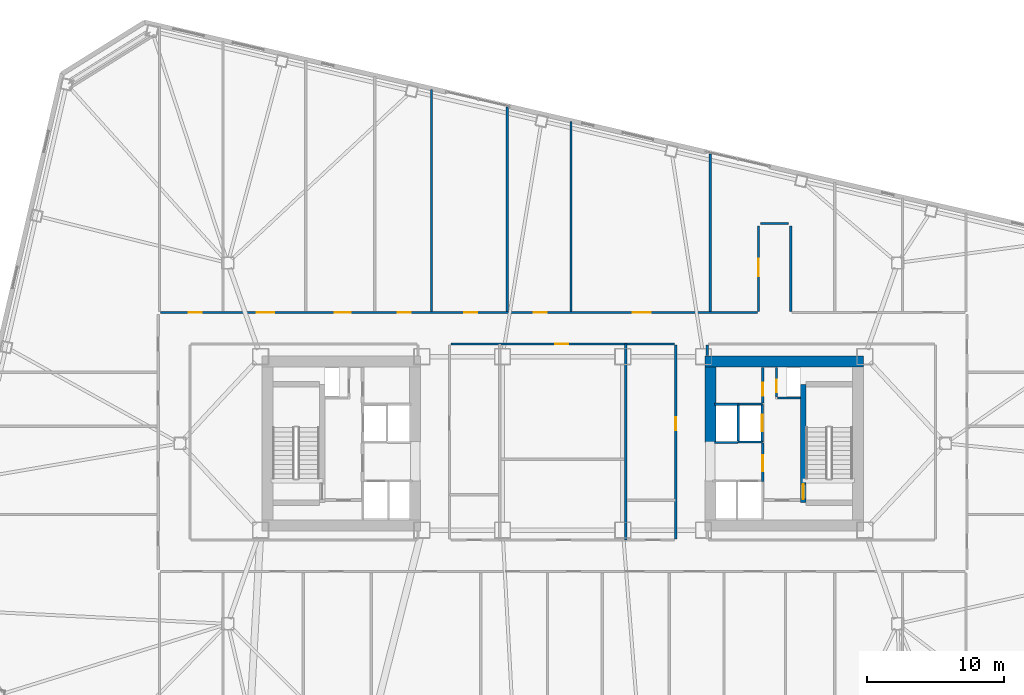
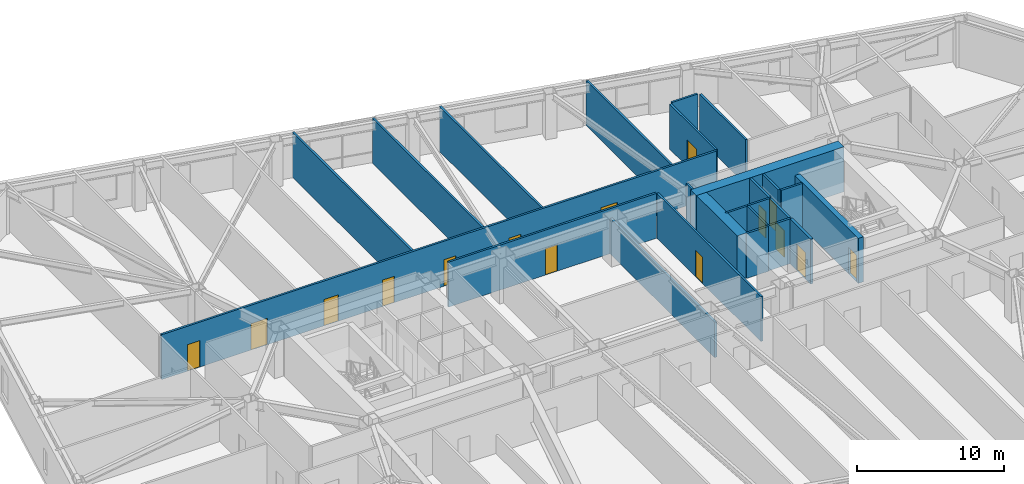
# One storey, part 14 of 21: 25 walls, 15 doors, 15 openings.
"""IFC4 building model written with IfcOpenShell, lengths in metres."""

from ifc_helpers import new_model, si_unit, direction, frame, frame_2d, origin, place, context, subcontext, project, spatial, rectangle, extrude, material, layer, layer_set, type_object, element, fill, save


model = new_model("IFC4")

# Units and contexts
model_context = context("Model", 3, precision=1e-05, world=origin(), true_north=direction((0.0, 1.0)))
body_context = subcontext(model_context, "Body", "Model", "MODEL_VIEW")
ifc_project = project(units=[si_unit("LENGTHUNIT", "METRE"), si_unit("AREAUNIT", "SQUARE_METRE"), si_unit("VOLUMEUNIT", "CUBIC_METRE"), si_unit("PLANEANGLEUNIT", "RADIAN"), si_unit("MASSUNIT", "GRAM", prefix="KILO")], contexts=[model_context])

# Site, building, storey
site_placement = place(None, origin())
site = spatial("IfcSite", under=ifc_project, at=site_placement, CompositionType="ELEMENT")
building_placement = place(site_placement, origin())
building = spatial("IfcBuilding", under=site, at=building_placement, Name="Tavrogorsk Clinical Tower", CompositionType="ELEMENT")
storey_placement = place(building_placement, frame((0.0, 0.0, 43.39990234375)))
storey = spatial("IfcBuildingStorey", under=building, at=storey_placement, Name="L08", CompositionType="ELEMENT", Elevation=43.39990234375)

# Wall, opening, door
ifc_material_1 = material(Name="Concrete B60", Category="concrete")
ifc_layer_1 = layer(ifc_material_1, 0.199951171875)
ifc_layer_set_1 = layer_set([ifc_layer_1], Name="Concrete B60")
wall_type_1 = type_object("IfcWallType", Name="CoreFireWall_200", PredefinedType="SOLIDWALL", material=ifc_layer_set_1)
wall_1_placement = place(storey_placement, frame((14.639892578125, 2.9599609375, 0.0), z_axis=(0.0, 0.0, 1.0), x_axis=(0.0, 1.0, 0.0)))
wall_1 = element("IfcWall", 1, at=wall_1_placement, inside=storey, type_object=wall_type_1, Name="L08 Core East North Core Room East Wall", PredefinedType="SOLIDWALL", context=body_context, shape_type="SweptSolid", body=[
    extrude(rectangle(XDim=2.60009765625, YDim=0.199951171875, at=frame_2d((1.300048828125, 0.0))), origin(), (0.0, 0.0, 1.0), 3.739990234375),
])
opening_1_placement = place(wall_1_placement, frame((0.52001953125, 0.0, 0.0)))
opening_1 = element("IfcOpeningElement", 2, at=opening_1_placement, cuts=wall_1, Name="Opening ID-02", PredefinedType="OPENING", context=body_context, shape_type="SweptSolid", body=[
    extrude(rectangle(XDim=0.949951171875, YDim=2.199951171875, at=frame_2d((0.47509765625, 1.10009765625))), frame((0.0, 0.10986328125, 0.0), z_axis=(0.0, -1.0, 0.0), x_axis=(1.0, 0.0, 0.0)), (0.0, 0.0, 1.0), 0.219970703125),
])
ifc_material_2 = material(Name="Laminated timber leaf on aluminium frame", Category="wood")
door_type_1 = type_object("IfcDoorType", Name="InteriorDoor_ID02_950", OperationType="NOTDEFINED", PredefinedType="DOOR", material=ifc_material_2)
door_1_placement = place(opening_1_placement, origin())
door_1 = element("IfcDoor", 3, at=door_1_placement, inside=storey, type_object=door_type_1, Name="L08 Core East Core Telemetry Room Door", OperationType="SINGLE_SWING_LEFT", OverallHeight=2.199951171875, OverallWidth=0.949951171875, PredefinedType="DOOR", context=body_context, shape_type="SweptSolid", body=[
    extrude(rectangle(XDim=0.949951171875, YDim=2.199951171875, at=frame_2d((0.47509765625, 1.10009765625))), frame((0.0, 0.02490234375, 0.0), z_axis=(0.0, -1.0, 0.0), x_axis=(1.0, 0.0, 0.0)), (0.0, 0.0, 1.0), 0.050048828125),
])
fill(opening_1, door_1)

wall_2_placement = place(storey_placement, frame((14.639892578125, -2.780029296875, 0.0), z_axis=(0.0, 0.0, 1.0), x_axis=(0.0, 1.0, 0.0)))
wall_2 = element("IfcWall", 4, at=wall_2_placement, inside=storey, type_object=wall_type_1, Name="L08 Core East Firefighting Lobby Fire Wall", PredefinedType="SOLIDWALL", context=body_context, shape_type="SweptSolid", body=[
    extrude(rectangle(XDim=2.820068359375, YDim=0.199951171875, at=frame_2d((1.41015625, 0.0))), origin(), (0.0, 0.0, 1.0), 3.739990234375),
])
opening_2_placement = place(wall_2_placement, frame((0.72998046875, 0.0, 0.0)))
opening_2 = element("IfcOpeningElement", 5, at=opening_2_placement, cuts=wall_2, Name="Opening FD-01", PredefinedType="OPENING", context=body_context, shape_type="SweptSolid", body=[
    extrude(rectangle(XDim=1.199951171875, YDim=2.199951171875, at=frame_2d((0.60009765625, 1.10009765625))), frame((0.0, 0.10986328125, 0.0), z_axis=(0.0, -1.0, 0.0), x_axis=(1.0, 0.0, 0.0)), (0.0, 0.0, 1.0), 0.219970703125),
])
ifc_material_3 = material(Name="Galvanised steel fire-rated door assembly", Category="steel")
door_type_2 = type_object("IfcDoorType", Name="FireDoor_FD01_1200", OperationType="NOTDEFINED", PredefinedType="DOOR", material=ifc_material_3)
door_2_placement = place(opening_2_placement, origin())
door_2 = element("IfcDoor", 6, at=door_2_placement, inside=storey, type_object=door_type_2, Name="L08 Core East Firefighting Lobby Entry Door", OperationType="SINGLE_SWING_RIGHT", OverallHeight=2.199951171875, OverallWidth=1.199951171875, PredefinedType="DOOR", context=body_context, shape_type="SweptSolid", body=[
    extrude(rectangle(XDim=1.199951171875, YDim=2.199951171875, at=frame_2d((0.60009765625, 1.10009765625))), frame((0.0, 0.02490234375, 0.0), z_axis=(0.0, -1.0, 0.0), x_axis=(1.0, 0.0, 0.0)), (0.0, 0.0, 1.0), 0.050048828125),
])
fill(opening_2, door_2)

# Wall, openings, doors
ifc_material_4 = material(Name="Lightweight concrete blockwork B15", Category="masonry")
ifc_layer_2 = layer(ifc_material_4, 0.159912109375)
ifc_layer_set_2 = layer_set([ifc_layer_2], Name="Lightweight concrete blockwork B15")
wall_type_2 = type_object("IfcWallType", Name="PartitionWall_160", PredefinedType="PARTITIONING", material=ifc_layer_set_2)
wall_3_placement = place(storey_placement, frame((-29.4150390625, 9.580078125, 0.0), z_axis=(0.0, 0.0, 1.0), x_axis=(1.0, 0.0, 0.0)))
wall_3 = element("IfcWall", 7, at=wall_3_placement, inside=storey, type_object=wall_type_2, Name="L08 Corridor Partition 02", PredefinedType="PARTITIONING", context=body_context, shape_type="SweptSolid", body=[
    extrude(rectangle(XDim=43.650146484375, YDim=0.159912109375, at=frame_2d((21.8251953125, 0.0))), origin(), (0.0, 0.0, 1.0), 3.739990234375),
])
opening_3_placement = place(wall_3_placement, frame((2.044189453125, 0.0, 0.0)))
opening_3 = element("IfcOpeningElement", 8, at=opening_3_placement, cuts=wall_3, Name="Opening ID-02", PredefinedType="OPENING", context=body_context, shape_type="SweptSolid", body=[
    extrude(rectangle(XDim=0.949951171875, YDim=2.199951171875, at=frame_2d((0.47509765625, 1.10009765625))), frame((0.0, 0.08984375, 0.0), z_axis=(0.0, -1.0, 0.0), x_axis=(1.0, 0.0, 0.0)), (0.0, 0.0, 1.0), 0.179931640625),
])
opening_4_placement = place(wall_3_placement, frame((7.02490234375, 0.0, 0.0)))
opening_4 = element("IfcOpeningElement", 9, at=opening_4_placement, cuts=wall_3, Name="Opening ID-01", PredefinedType="OPENING", context=body_context, shape_type="SweptSolid", body=[
    extrude(rectangle(XDim=1.300048828125, YDim=2.199951171875, at=frame_2d((0.64990234375, 1.10009765625))), frame((0.0, 0.08984375, 0.0), z_axis=(0.0, -1.0, 0.0), x_axis=(1.0, 0.0, 0.0)), (0.0, 0.0, 1.0), 0.179931640625),
])
opening_5_placement = place(wall_3_placement, frame((12.75, 0.0, 0.0)))
opening_5 = element("IfcOpeningElement", 10, at=opening_5_placement, cuts=wall_3, Name="Opening ID-06", PredefinedType="OPENING", context=body_context, shape_type="SweptSolid", body=[
    extrude(rectangle(XDim=1.14990234375, YDim=2.199951171875, at=frame_2d((0.574951171875, 1.10009765625))), frame((0.0, 0.08984375, 0.0), z_axis=(0.0, -1.0, 0.0), x_axis=(1.0, 0.0, 0.0)), (0.0, 0.0, 1.0), 0.179931640625),
])
opening_6_placement = place(wall_3_placement, frame((17.35009765625, 0.0, 0.0)))
opening_6 = element("IfcOpeningElement", 11, at=opening_6_placement, cuts=wall_3, Name="Opening ID-02", PredefinedType="OPENING", context=body_context, shape_type="SweptSolid", body=[
    extrude(rectangle(XDim=0.949951171875, YDim=2.199951171875, at=frame_2d((0.47509765625, 1.10009765625))), frame((0.0, 0.08984375, 0.0), z_axis=(0.0, -1.0, 0.0), x_axis=(1.0, 0.0, 0.0)), (0.0, 0.0, 1.0), 0.179931640625),
])
opening_7_placement = place(wall_3_placement, frame((22.199951171875, 0.0, 0.0)))
opening_7 = element("IfcOpeningElement", 12, at=opening_7_placement, cuts=wall_3, Name="Opening ID-02", PredefinedType="OPENING", context=body_context, shape_type="SweptSolid", body=[
    extrude(rectangle(XDim=0.949951171875, YDim=2.199951171875, at=frame_2d((0.47509765625, 1.10009765625))), frame((0.0, 0.08984375, 0.0), z_axis=(0.0, -1.0, 0.0), x_axis=(1.0, 0.0, 0.0)), (0.0, 0.0, 1.0), 0.179931640625),
])
opening_8_placement = place(wall_3_placement, frame((27.300048828125, 0.0, 0.0)))
opening_8 = element("IfcOpeningElement", 13, at=opening_8_placement, cuts=wall_3, Name="Opening ID-02", PredefinedType="OPENING", context=body_context, shape_type="SweptSolid", body=[
    extrude(rectangle(XDim=0.949951171875, YDim=2.199951171875, at=frame_2d((0.47509765625, 1.10009765625))), frame((0.0, 0.08984375, 0.0), z_axis=(0.0, -1.0, 0.0), x_axis=(1.0, 0.0, 0.0)), (0.0, 0.0, 1.0), 0.179931640625),
])
opening_9_placement = place(wall_3_placement, frame((34.550048828125, 0.0, 0.0)))
opening_9 = element("IfcOpeningElement", 14, at=opening_9_placement, cuts=wall_3, Name="Opening ID-01", PredefinedType="OPENING", context=body_context, shape_type="SweptSolid", body=[
    extrude(rectangle(XDim=1.300048828125, YDim=2.199951171875, at=frame_2d((0.64990234375, 1.10009765625))), frame((0.0, 0.08984375, 0.0), z_axis=(0.0, -1.0, 0.0), x_axis=(1.0, 0.0, 0.0)), (0.0, 0.0, 1.0), 0.179931640625),
])
door_3_placement = place(opening_3_placement, origin())
door_3 = element("IfcDoor", 15, at=door_3_placement, inside=storey, type_object=door_type_1, Name="L08 North Physiotherapy Rehab Studio 01 Door", OperationType="SINGLE_SWING_LEFT", OverallHeight=2.199951171875, OverallWidth=0.949951171875, PredefinedType="DOOR", context=body_context, shape_type="SweptSolid", body=[
    extrude(rectangle(XDim=0.949951171875, YDim=2.199951171875, at=frame_2d((0.47509765625, 1.10009765625))), frame((0.0, 0.02490234375, 0.0), z_axis=(0.0, -1.0, 0.0), x_axis=(1.0, 0.0, 0.0)), (0.0, 0.0, 1.0), 0.050048828125),
])
fill(opening_3, door_3)
door_4_placement = place(opening_6_placement, origin())
door_4 = element("IfcDoor", 16, at=door_4_placement, inside=storey, type_object=door_type_1, Name="L08 North Diagnostic Ultrasound Suite 03B Door", OperationType="SINGLE_SWING_RIGHT", OverallHeight=2.199951171875, OverallWidth=0.949951171875, PredefinedType="DOOR", context=body_context, shape_type="SweptSolid", body=[
    extrude(rectangle(XDim=0.949951171875, YDim=2.199951171875, at=frame_2d((0.47509765625, 1.10009765625))), frame((0.0, 0.02490234375, 0.0), z_axis=(0.0, -1.0, 0.0), x_axis=(1.0, 0.0, 0.0)), (0.0, 0.0, 1.0), 0.050048828125),
])
fill(opening_6, door_4)
door_5_placement = place(opening_7_placement, origin())
door_5 = element("IfcDoor", 17, at=door_5_placement, inside=storey, type_object=door_type_1, Name="L08 North Patient & Family Quiet Lounge 04A Door", OperationType="SINGLE_SWING_LEFT", OverallHeight=2.199951171875, OverallWidth=0.949951171875, PredefinedType="DOOR", context=body_context, shape_type="SweptSolid", body=[
    extrude(rectangle(XDim=0.949951171875, YDim=2.199951171875, at=frame_2d((0.47509765625, 1.10009765625))), frame((0.0, 0.02490234375, 0.0), z_axis=(0.0, -1.0, 0.0), x_axis=(1.0, 0.0, 0.0)), (0.0, 0.0, 1.0), 0.050048828125),
])
fill(opening_7, door_5)
door_6_placement = place(opening_8_placement, origin())
door_6 = element("IfcDoor", 18, at=door_6_placement, inside=storey, type_object=door_type_1, Name="L08 North Physiotherapy Rehab Studio 04B Door", OperationType="SINGLE_SWING_RIGHT", OverallHeight=2.199951171875, OverallWidth=0.949951171875, PredefinedType="DOOR", context=body_context, shape_type="SweptSolid", body=[
    extrude(rectangle(XDim=0.949951171875, YDim=2.199951171875, at=frame_2d((0.47509765625, 1.10009765625))), frame((0.0, 0.02490234375, 0.0), z_axis=(0.0, -1.0, 0.0), x_axis=(1.0, 0.0, 0.0)), (0.0, 0.0, 1.0), 0.050048828125),
])
fill(opening_8, door_6)
ifc_material_5 = material(Name="Antibacterial HPL procedure door on aluminium frame", Category="aluminium")
door_type_3 = type_object("IfcDoorType", Name="LabDoor_ID06_1150", OperationType="NOTDEFINED", PredefinedType="DOOR", material=ifc_material_5)
door_7_placement = place(opening_5_placement, origin())
door_7 = element("IfcDoor", 19, at=door_7_placement, inside=storey, type_object=door_type_3, Name="L08 North Physician Consultation Office 03A Door", OperationType="SINGLE_SWING_LEFT", OverallHeight=2.199951171875, OverallWidth=1.14990234375, PredefinedType="DOOR", context=body_context, shape_type="SweptSolid", body=[
    extrude(rectangle(XDim=1.14990234375, YDim=2.199951171875, at=frame_2d((0.574951171875, 1.10009765625))), frame((0.0, 0.02490234375, 0.0), z_axis=(0.0, -1.0, 0.0), x_axis=(1.0, 0.0, 0.0)), (0.0, 0.0, 1.0), 0.050048828125),
])
fill(opening_5, door_7)
ifc_material_6 = material(Name="Antibacterial HPL medical leaf on aluminium frame", Category="aluminium")
door_type_4 = type_object("IfcDoorType", Name="WardBedDoor_ID01_1300", OperationType="NOTDEFINED", PredefinedType="DOOR", material=ifc_material_6)
door_8_placement = place(opening_4_placement, origin())
door_8 = element("IfcDoor", 20, at=door_8_placement, inside=storey, type_object=door_type_4, Name="L08 North Step-Down Telemetry Ward 02 Door", OperationType="SINGLE_SWING_RIGHT", OverallHeight=2.199951171875, OverallWidth=1.300048828125, PredefinedType="DOOR", context=body_context, shape_type="SweptSolid", body=[
    extrude(rectangle(XDim=1.300048828125, YDim=2.199951171875, at=frame_2d((0.64990234375, 1.10009765625))), frame((0.0, 0.02490234375, 0.0), z_axis=(0.0, -1.0, 0.0), x_axis=(1.0, 0.0, 0.0)), (0.0, 0.0, 1.0), 0.050048828125),
])
fill(opening_4, door_8)
door_9_placement = place(opening_9_placement, origin())
door_9 = element("IfcDoor", 21, at=door_9_placement, inside=storey, type_object=door_type_4, Name="L08 North Acute Isolation Suite 05 Door", OperationType="SINGLE_SWING_LEFT", OverallHeight=2.199951171875, OverallWidth=1.300048828125, PredefinedType="DOOR", context=body_context, shape_type="SweptSolid", body=[
    extrude(rectangle(XDim=1.300048828125, YDim=2.199951171875, at=frame_2d((0.64990234375, 1.10009765625))), frame((0.0, 0.02490234375, 0.0), z_axis=(0.0, -1.0, 0.0), x_axis=(1.0, 0.0, 0.0)), (0.0, 0.0, 1.0), 0.050048828125),
])
fill(opening_9, door_9)

# Wall, opening, door
wall_4_placement = place(storey_placement, frame((14.320068359375, 9.6650390625, 0.0), z_axis=(0.0, 0.0, 1.0), x_axis=(0.0, 1.0, 0.0)))
wall_4 = element("IfcWall", 22, at=wall_4_placement, inside=storey, type_object=wall_type_2, Name="L08 Corridor Partition 03", PredefinedType="PARTITIONING", context=body_context, shape_type="SweptSolid", body=[
    extrude(rectangle(XDim=6.25, YDim=0.159912109375, at=frame_2d((3.125, 0.0))), origin(), (0.0, 0.0, 1.0), 3.739990234375),
])
opening_10_placement = place(wall_4_placement, frame((2.56005859375, 0.0, 0.0)))
opening_10 = element("IfcOpeningElement", 23, at=opening_10_placement, cuts=wall_4, Name="Opening ID-01", PredefinedType="OPENING", context=body_context, shape_type="SweptSolid", body=[
    extrude(rectangle(XDim=1.300048828125, YDim=2.199951171875, at=frame_2d((0.64990234375, 1.10009765625))), frame((0.0, 0.08984375, 0.0), z_axis=(0.0, -1.0, 0.0), x_axis=(1.0, 0.0, 0.0)), (0.0, 0.0, 1.0), 0.179931640625),
])
door_10_placement = place(opening_10_placement, origin())
door_10 = element("IfcDoor", 24, at=door_10_placement, inside=storey, type_object=door_type_4, Name="L08 North Sub-Acute Recovery Ward 06 Door", OperationType="SINGLE_SWING_RIGHT", OverallHeight=2.199951171875, OverallWidth=1.300048828125, PredefinedType="DOOR", context=body_context, shape_type="SweptSolid", body=[
    extrude(rectangle(XDim=1.300048828125, YDim=2.199951171875, at=frame_2d((0.64990234375, 1.10009765625))), frame((0.0, 0.02490234375, 0.0), z_axis=(0.0, -1.0, 0.0), x_axis=(1.0, 0.0, 0.0)), (0.0, 0.0, 1.0), 0.050048828125),
])
fill(opening_10, door_10)

# Walls
wall_5_placement = place(storey_placement, frame((14.485107421875, 16.080078125, 0.0), z_axis=(0.0, 0.0, 1.0), x_axis=(1.0, 0.0, 0.0)))
element("IfcWall", 25, at=wall_5_placement, inside=storey, type_object=wall_type_2, Name="L08 Corridor Partition 04", PredefinedType="PARTITIONING", context=body_context, shape_type="SweptSolid", body=[
    extrude(rectangle(XDim=2.02978515625, YDim=0.159912109375, at=frame_2d((1.014892578125, 0.0))), origin(), (0.0, 0.0, 1.0), 3.739990234375),
])
wall_6_placement = place(storey_placement, frame((16.679931640625, 15.9150390625, 0.0), z_axis=(0.0, 0.0, 1.0), x_axis=(0.0, -1.0, 0.0)))
element("IfcWall", 26, at=wall_6_placement, inside=storey, type_object=wall_type_2, Name="L08 Corridor Partition 05", PredefinedType="PARTITIONING", context=body_context, shape_type="SweptSolid", body=[
    extrude(rectangle(XDim=6.25, YDim=0.159912109375, at=frame_2d((3.125, 0.0))), origin(), (0.0, 0.0, 1.0), 3.739990234375),
])
wall_7_placement = place(storey_placement, frame((10.580078125, 7.18505859375, 0.0), z_axis=(0.0, 0.0, 1.0), x_axis=(0.0, -1.0, 0.0)))
element("IfcWall", 27, at=wall_7_placement, inside=storey, type_object=wall_type_2, Name="L08 Corridor Partition 10", PredefinedType="PARTITIONING", context=body_context, shape_type="SweptSolid", body=[
    extrude(rectangle(XDim=0.76513671875, YDim=0.159912109375, at=frame_2d((0.382568359375, 0.0))), origin(), (0.0, 0.0, 1.0), 3.739990234375),
])

# Wall, opening, door
wall_8_placement = place(storey_placement, frame((8.27001953125, -6.985107421875, 0.0), z_axis=(0.0, 0.0, 1.0), x_axis=(0.0, 1.0, 0.0)))
wall_8 = element("IfcWall", 28, at=wall_8_placement, inside=storey, type_object=wall_type_2, Name="L08 Corridor Partition 14", PredefinedType="PARTITIONING", context=body_context, shape_type="SweptSolid", body=[
    extrude(rectangle(XDim=14.170166015625, YDim=0.159912109375, at=frame_2d((7.0849609375, 0.0))), origin(), (0.0, 0.0, 1.0), 3.739990234375),
])
opening_11_placement = place(wall_8_placement, frame((7.9609375, 0.0, 0.0)))
opening_11 = element("IfcOpeningElement", 29, at=opening_11_placement, cuts=wall_8, Name="Opening ID-02", PredefinedType="OPENING", context=body_context, shape_type="SweptSolid", body=[
    extrude(rectangle(XDim=0.949951171875, YDim=2.199951171875, at=frame_2d((0.47509765625, 1.10009765625))), frame((0.0, 0.08984375, 0.0), z_axis=(0.0, -1.0, 0.0), x_axis=(1.0, 0.0, 0.0)), (0.0, 0.0, 1.0), 0.179931640625),
])
door_11_placement = place(opening_11_placement, origin())
door_11 = element("IfcDoor", 30, at=door_11_placement, inside=storey, type_object=door_type_1, Name="L08 Attending Physician Office Door", OperationType="SINGLE_SWING_RIGHT", OverallHeight=2.199951171875, OverallWidth=0.949951171875, PredefinedType="DOOR", context=body_context, shape_type="SweptSolid", body=[
    extrude(rectangle(XDim=0.949951171875, YDim=2.199951171875, at=frame_2d((0.47509765625, 1.10009765625))), frame((0.0, 0.02490234375, 0.0), z_axis=(0.0, -1.0, 0.0), x_axis=(1.0, 0.0, 0.0)), (0.0, 0.0, 1.0), 0.050048828125),
])
fill(opening_11, door_11)

wall_9_placement = place(storey_placement, frame((8.18505859375, 7.27001953125, 0.0), z_axis=(0.0, 0.0, 1.0), x_axis=(-1.0, 0.0, 0.0)))
wall_9 = element("IfcWall", 31, at=wall_9_placement, inside=storey, type_object=wall_type_2, Name="L08 Corridor Partition 15", PredefinedType="PARTITIONING", context=body_context, shape_type="SweptSolid", body=[
    extrude(rectangle(XDim=16.3701171875, YDim=0.159912109375, at=frame_2d((8.18505859375, 0.0))), origin(), (0.0, 0.0, 1.0), 3.739990234375),
])
opening_12_placement = place(wall_9_placement, frame((7.794921875, 0.0, 0.0)))
opening_12 = element("IfcOpeningElement", 32, at=opening_12_placement, cuts=wall_9, Name="Opening ID-02", PredefinedType="OPENING", context=body_context, shape_type="SweptSolid", body=[
    extrude(rectangle(XDim=0.949951171875, YDim=2.199951171875, at=frame_2d((0.47509765625, 1.10009765625))), frame((0.0, 0.08984375, 0.0), z_axis=(0.0, -1.0, 0.0), x_axis=(1.0, 0.0, 0.0)), (0.0, 0.0, 1.0), 0.179931640625),
])
door_12_placement = place(opening_12_placement, origin())
door_12 = element("IfcDoor", 33, at=door_12_placement, inside=storey, type_object=door_type_1, Name="L08 Nurses' Station & Triage Hub Door", OperationType="SINGLE_SWING_RIGHT", OverallHeight=2.199951171875, OverallWidth=0.949951171875, PredefinedType="DOOR", context=body_context, shape_type="SweptSolid", body=[
    extrude(rectangle(XDim=0.949951171875, YDim=2.199951171875, at=frame_2d((0.47509765625, 1.10009765625))), frame((0.0, 0.02490234375, 0.0), z_axis=(0.0, -1.0, 0.0), x_axis=(1.0, 0.0, 0.0)), (0.0, 0.0, 1.0), 0.050048828125),
])
fill(opening_12, door_12)

# Walls
wall_10_placement = place(storey_placement, frame((-9.60009765625, 9.6650390625, 0.0), z_axis=(0.0, 0.0, 1.0), x_axis=(0.0, 1.0, 0.0)))
element("IfcWall", 34, at=wall_10_placement, inside=storey, type_object=wall_type_2, Name="L08 North Room Partition 3", PredefinedType="PARTITIONING", context=body_context, shape_type="SweptSolid", body=[
    extrude(rectangle(XDim=16.224365234375, YDim=0.159912109375, at=frame_2d((8.1123046875, 0.0))), origin(), (0.0, 0.0, 1.0), 3.739990234375),
])
wall_11_placement = place(storey_placement, frame((0.60009765625, 9.6650390625, 0.0), z_axis=(0.0, 0.0, 1.0), x_axis=(0.0, 1.0, 0.0)))
element("IfcWall", 35, at=wall_11_placement, inside=storey, type_object=wall_type_2, Name="L08 North Room Partition 4", PredefinedType="PARTITIONING", context=body_context, shape_type="SweptSolid", body=[
    extrude(rectangle(XDim=13.869384765625, YDim=0.159912109375, at=frame_2d((6.9345703125, 0.0))), origin(), (0.0, 0.0, 1.0), 3.739990234375),
])
wall_12_placement = place(storey_placement, frame((10.800048828125, 9.6650390625, 0.0), z_axis=(0.0, 0.0, 1.0), x_axis=(0.0, 1.0, 0.0)))
element("IfcWall", 36, at=wall_12_placement, inside=storey, type_object=wall_type_2, Name="L08 North Room Partition 5", PredefinedType="PARTITIONING", context=body_context, shape_type="SweptSolid", body=[
    extrude(rectangle(XDim=11.5146484375, YDim=0.159912109375, at=frame_2d((5.75732421875, 0.0))), origin(), (0.0, 0.0, 1.0), 3.739990234375),
])
wall_13_placement = place(storey_placement, frame((-4.050048828125, 9.6650390625, 0.0), z_axis=(0.0, 0.0, 1.0), x_axis=(0.0, 1.0, 0.0)))
element("IfcWall", 37, at=wall_13_placement, inside=storey, type_object=wall_type_2, Name="L08 North Sub-Partition 4", PredefinedType="PARTITIONING", context=body_context, shape_type="SweptSolid", body=[
    extrude(rectangle(XDim=14.94287109375, YDim=0.159912109375, at=frame_2d((7.471435546875, 0.0))), origin(), (0.0, 0.0, 1.0), 3.739990234375),
])
ifc_material_7 = material(Name="Lightweight concrete blockwork B20", Category="masonry")
ifc_layer_3 = layer(ifc_material_7, 0.179931640625)
ifc_layer_set_3 = layer_set([ifc_layer_3], Name="Lightweight concrete blockwork B20")
wall_type_3 = type_object("IfcWallType", Name="PartitionWall_180", PredefinedType="PARTITIONING", material=ifc_layer_set_3)
wall_14_placement = place(storey_placement, frame((4.60009765625, -7.06494140625, 0.0), z_axis=(0.0, 0.0, 1.0), x_axis=(0.0, 1.0, 0.0)))
element("IfcWall", 38, at=wall_14_placement, inside=storey, type_object=wall_type_3, Name="L08 Central Spine Partition 2", PredefinedType="PARTITIONING", context=body_context, shape_type="SweptSolid", body=[
    extrude(rectangle(XDim=14.329833984375, YDim=0.179931640625, at=frame_2d((7.1650390625, 0.0))), origin(), (0.0, 0.0, 1.0), 2.93505859375),
])

# Wall, opening, door
ifc_material_8 = material(Name="Lightweight concrete blockwork B25", Category="masonry")
ifc_layer_4 = layer(ifc_material_8, 0.159912109375)
ifc_layer_set_4 = layer_set([ifc_layer_4], Name="Lightweight concrete blockwork B25")
wall_type_4 = type_object("IfcWallType", Name="ShaftWall_160", PredefinedType="PARTITIONING", material=ifc_layer_set_4)
wall_15_placement = place(storey_placement, frame((14.60009765625, 0.1201171875, 0.0), z_axis=(0.0, 0.0, 1.0), x_axis=(0.0, 1.0, 0.0)))
wall_15 = element("IfcWall", 39, at=wall_15_placement, inside=storey, type_object=wall_type_4, Name="L08 FFL-E Firefighting Lift Front Wall", PredefinedType="PARTITIONING", context=body_context, shape_type="SweptSolid", body=[
    extrude(rectangle(XDim=2.739990234375, YDim=0.159912109375, at=frame_2d((1.3701171875, 0.0))), origin(), (0.0, 0.0, 1.0), 3.739990234375),
])
opening_13_placement = place(wall_15_placement, frame((0.77001953125, 0.0, 0.0)))
opening_13 = element("IfcOpeningElement", 40, at=opening_13_placement, cuts=wall_15, Name="Opening LD", PredefinedType="OPENING", context=body_context, shape_type="SweptSolid", body=[
    extrude(rectangle(XDim=1.199951171875, YDim=2.199951171875, at=frame_2d((0.60009765625, 1.10009765625))), frame((0.0, 0.08984375, 0.0), z_axis=(0.0, -1.0, 0.0), x_axis=(1.0, 0.0, 0.0)), (0.0, 0.0, 1.0), 0.179931640625),
])
ifc_material_9 = material(Name="Brushed stainless steel AISI 304 sliding doors", Category="steel")
door_type_5 = type_object("IfcDoorType", Name="LiftLandingDoor_LD_1200", OperationType="SLIDING_TO_LEFT", PredefinedType="DOOR", material=ifc_material_9)
door_13_placement = place(opening_13_placement, origin())
door_13 = element("IfcDoor", 41, at=door_13_placement, inside=storey, type_object=door_type_5, Name="L08 FFL-E Sliding Lift Landing Door", OperationType="SLIDING_TO_LEFT", OverallHeight=2.199951171875, OverallWidth=1.199951171875, PredefinedType="DOOR", context=body_context, shape_type="SweptSolid", body=[
    extrude(rectangle(XDim=1.199951171875, YDim=2.199951171875, at=frame_2d((0.60009765625, 1.10009765625))), frame((0.0, 0.02490234375, 0.0), z_axis=(0.0, -1.0, 0.0), x_axis=(1.0, 0.0, 0.0)), (0.0, 0.0, 1.0), 0.050048828125),
])
fill(opening_13, door_13)

# Walls
for number, where, z_axis, x_axis, name in (
    (42, (12.840087890625, 0.10009765625, 0.0), (0.0, 0.0, 1.0), (1.0, 0.0, 0.0), "L08 FFL-E Shaft South Wall"),
    (43, (12.840087890625, 2.8798828125, 0.0), (0.0, 0.0, 1.0), (1.0, 0.0, 0.0), "L08 FFL-E Shaft North Wall"),
):
    element("IfcWall", number, at=place(storey_placement, frame(where, z_axis=z_axis, x_axis=x_axis)), inside=storey, type_object=wall_type_4, Name=name, PredefinedType="PARTITIONING", context=body_context, shape_type="SweptSolid", body=[
        extrude(rectangle(XDim=1.760009765625, YDim=0.159912109375, at=frame_2d((0.8798828125, 0.0))), origin(), (0.0, 0.0, 1.0), 3.739990234375),
    ])
wall_16_placement = place(storey_placement, frame((12.840087890625, 0.179931640625, 0.0), z_axis=(0.0, 0.0, 1.0), x_axis=(0.0, 1.0, 0.0)))
element("IfcWall", 44, at=wall_16_placement, inside=storey, type_object=wall_type_4, Name="L08 FFL-E Shaft Back Wall", PredefinedType="PARTITIONING", context=body_context, shape_type="SweptSolid", body=[
    extrude(rectangle(XDim=2.6201171875, YDim=0.159912109375, at=frame_2d((1.31005859375, 0.0))), origin(), (0.0, 0.0, 1.0), 3.739990234375),
])
for number, where, z_axis, x_axis, name in (
    (45, (11.10009765625, 0.06005859375, 0.0), (0.0, 0.0, 1.0), (1.0, 0.0, 0.0), "L08 LP-H2 High-Zone Lift Portal Wall"),
    (46, (11.10009765625, 2.860107421875, 0.0), (0.0, 0.0, 1.0), (1.0, 0.0, 0.0), "L08 LP-H2 High-Zone Lift Rear Wall"),
):
    element("IfcWall", number, at=place(storey_placement, frame(where, z_axis=z_axis, x_axis=x_axis)), inside=storey, type_object=wall_type_4, Name=name, PredefinedType="PARTITIONING", context=body_context, shape_type="SweptSolid", body=[
        extrude(rectangle(XDim=1.719970703125, YDim=0.159912109375, at=frame_2d((0.85986328125, 0.0))), origin(), (0.0, 0.0, 1.0), 3.739990234375),
    ])

# Wall, opening, door
wall_17_placement = place(storey_placement, frame((15.639892578125, 3.405029296875, 0.0), z_axis=(0.0, 0.0, 1.0), x_axis=(0.0, 1.0, 0.0)))
wall_17 = element("IfcWall", 47, at=wall_17_placement, inside=storey, type_object=wall_type_4, Name="L08 Core East Riser West Wall", PredefinedType="PARTITIONING", context=body_context, shape_type="SweptSolid", body=[
    extrude(rectangle(XDim=2.155029296875, YDim=0.159912109375, at=frame_2d((1.07763671875, 0.0))), origin(), (0.0, 0.0, 1.0), 3.739990234375),
])
opening_14_placement = place(wall_17_placement, frame((0.35009765625, 0.0, 0.0)))
opening_14 = element("IfcOpeningElement", 48, at=opening_14_placement, cuts=wall_17, Name="Opening FD-02", PredefinedType="OPENING", context=body_context, shape_type="SweptSolid", body=[
    extrude(rectangle(XDim=0.89990234375, YDim=2.199951171875, at=frame_2d((0.449951171875, 1.10009765625))), frame((0.0, 0.08984375, 0.0), z_axis=(0.0, -1.0, 0.0), x_axis=(1.0, 0.0, 0.0)), (0.0, 0.0, 1.0), 0.179931640625),
])
ifc_material_10 = material(Name="Galvanised steel fire-rated door assembly", Category="steel")
door_type_6 = type_object("IfcDoorType", Name="FireDoor_FD02_900", OperationType="NOTDEFINED", PredefinedType="DOOR", material=ifc_material_10)
door_14_placement = place(opening_14_placement, origin())
door_14 = element("IfcDoor", 49, at=door_14_placement, inside=storey, type_object=door_type_6, Name="L08 Core East Electrical Riser Access Door", OperationType="SINGLE_SWING_LEFT", OverallHeight=2.199951171875, OverallWidth=0.89990234375, PredefinedType="DOOR", context=body_context, shape_type="SweptSolid", body=[
    extrude(rectangle(XDim=0.89990234375, YDim=2.199951171875, at=frame_2d((0.449951171875, 1.10009765625))), frame((0.0, 0.02490234375, 0.0), z_axis=(0.0, -1.0, 0.0), x_axis=(1.0, 0.0, 0.0)), (0.0, 0.0, 1.0), 0.050048828125),
])
fill(opening_14, door_14)

# Wall
wall_18_placement = place(storey_placement, frame((15.72509765625, 3.320068359375, 0.0), z_axis=(0.0, 0.0, 1.0), x_axis=(1.0, 0.0, 0.0)))
element("IfcWall", 50, at=wall_18_placement, inside=storey, type_object=wall_type_4, Name="L08 Core East Riser South Wall", PredefinedType="PARTITIONING", context=body_context, shape_type="SweptSolid", body=[
    extrude(rectangle(XDim=1.65478515625, YDim=0.159912109375, at=frame_2d((0.827392578125, 0.0))), origin(), (0.0, 0.0, 1.0), 3.739990234375),
])

# Wall, opening, door
ifc_material_11 = material(Name="Concrete B80", Category="concrete")
ifc_layer_5 = layer(ifc_material_11, 0.39990234375)
ifc_layer_set_5 = layer_set([ifc_layer_5], Name="Concrete B80")
wall_type_5 = type_object("IfcWallType", Name="ShearWall_400", PredefinedType="SHEAR", material=ifc_layer_set_5)
wall_19_placement = place(storey_placement, frame((17.60009765625, -4.324951171875, 0.0), z_axis=(0.0, 0.0, 1.0), x_axis=(0.0, 1.0, 0.0)))
wall_19 = element("IfcWall", 51, at=wall_19_placement, inside=storey, type_object=wall_type_5, Name="L08 Core East Stair Shaft Inner Shear Wall", PredefinedType="SHEAR", context=body_context, shape_type="SweptSolid", body=[
    extrude(rectangle(XDim=8.64990234375, YDim=0.39990234375, at=frame_2d((4.324951171875, 0.0))), origin(), (0.0, 0.0, 1.0), 3.739990234375),
])
opening_15_placement = place(wall_19_placement, frame((0.25, 0.0, 0.0)))
opening_15 = element("IfcOpeningElement", 52, at=opening_15_placement, cuts=wall_19, Name="Opening SD-01", PredefinedType="OPENING", context=body_context, shape_type="SweptSolid", body=[
    extrude(rectangle(XDim=1.10009765625, YDim=2.199951171875, at=frame_2d((0.550048828125, 1.10009765625))), frame((0.0, 0.2099609375, 0.0), z_axis=(0.0, -1.0, 0.0), x_axis=(1.0, 0.0, 0.0)), (0.0, 0.0, 1.0), 0.419921875),
])
ifc_material_12 = material(Name="Galvanised steel smoke-tight fire door assembly", Category="steel")
door_type_7 = type_object("IfcDoorType", Name="StairFireDoor_SD01_1100", OperationType="NOTDEFINED", PredefinedType="DOOR", material=ifc_material_12)
door_15_placement = place(opening_15_placement, origin())
door_15 = element("IfcDoor", 53, at=door_15_placement, inside=storey, type_object=door_type_7, Name="L08 ST-E Exit Stair Door", OperationType="SINGLE_SWING_RIGHT", OverallHeight=2.199951171875, OverallWidth=1.10009765625, PredefinedType="DOOR", context=body_context, shape_type="SweptSolid", body=[
    extrude(rectangle(XDim=1.10009765625, YDim=2.199951171875, at=frame_2d((0.550048828125, 1.10009765625))), frame((0.0, 0.02490234375, 0.0), z_axis=(0.0, -1.0, 0.0), x_axis=(1.0, 0.0, 0.0)), (0.0, 0.0, 1.0), 0.050048828125),
])
fill(opening_15, door_15)

# Walls
ifc_material_13 = material(Name="Concrete B80", Category="concrete")
ifc_layer_6 = layer(ifc_material_13, 0.800048828125)
ifc_layer_set_6 = layer_set([ifc_layer_6], Name="Concrete B80")
wall_type_6 = type_object("IfcWallType", Name="ShearWall_800", PredefinedType="SHEAR", material=ifc_layer_set_6)
wall_20_placement = place(storey_placement, frame((10.39990234375, 6.0, 0.0), z_axis=(0.0, 0.0, 1.0), x_axis=(1.0, 0.0, 0.0)))
element("IfcWall", 54, at=wall_20_placement, inside=storey, type_object=wall_type_6, Name="L08 Core East North Shear Wall", PredefinedType="SHEAR", context=body_context, shape_type="SweptSolid", body=[
    extrude(rectangle(XDim=11.60009765625, YDim=0.800048828125, at=frame_2d((5.800048828125, 0.0))), origin(), (0.0, 0.0, 1.0), 3.739990234375),
])
wall_21_placement = place(storey_placement, frame((10.800048828125, 0.050048828125, 0.0), z_axis=(0.0, 0.0, 1.0), x_axis=(0.0, 1.0, 0.0)))
element("IfcWall", 55, at=wall_21_placement, inside=storey, type_object=wall_type_6, Name="L08 Core East Inner North Pier", PredefinedType="SHEAR", context=body_context, shape_type="SweptSolid", body=[
    extrude(rectangle(XDim=5.550048828125, YDim=0.800048828125, at=frame_2d((2.77490234375, 0.0))), origin(), (0.0, 0.0, 1.0), 3.739990234375),
])

save(model, "model.ifc")
